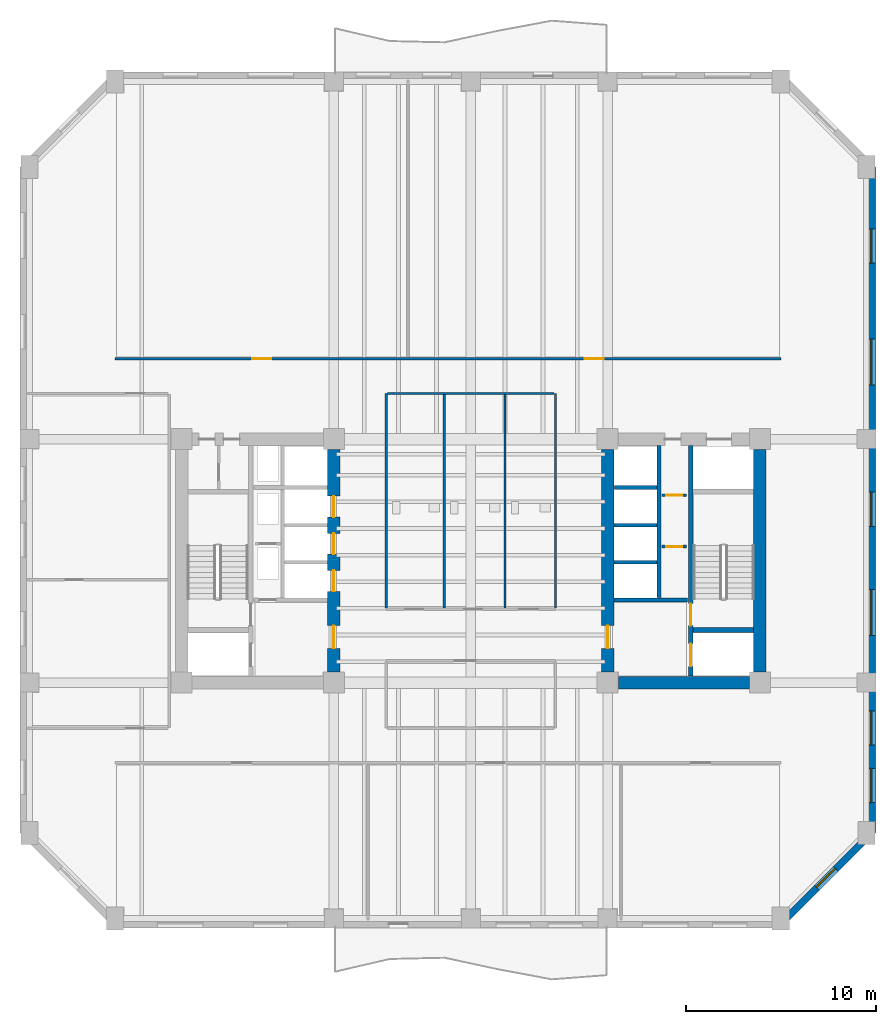
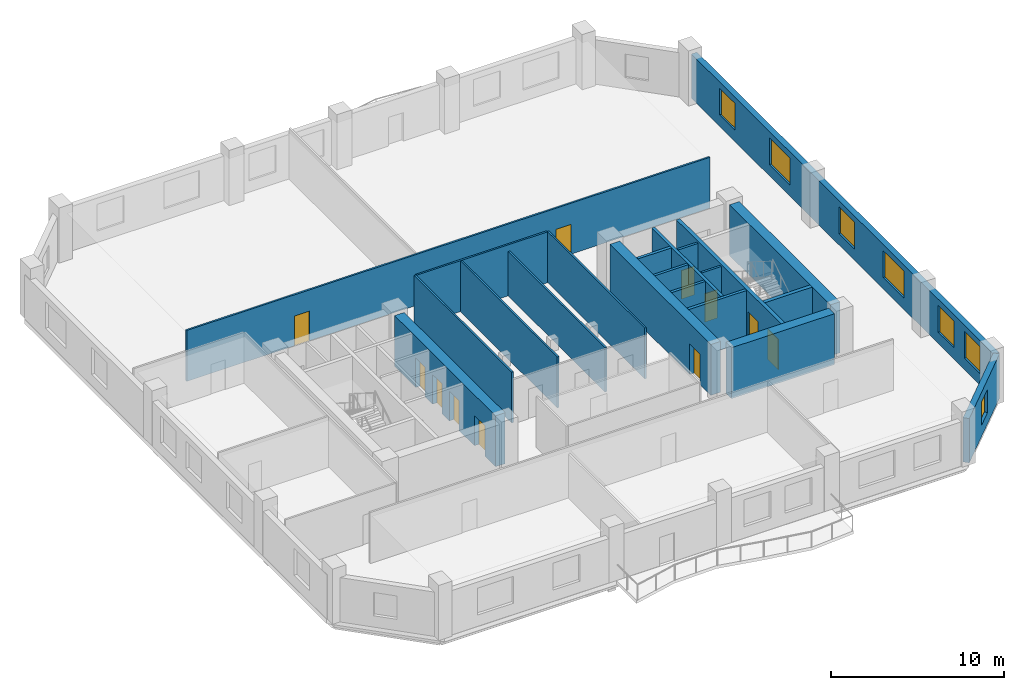
# One storey, part 4 of 10: 21 walls, 11 doors, 7 windows, 18 openings.
"""IFC4 building model written with IfcOpenShell, lengths in metres."""

from ifc_helpers import new_model, si_unit, direction, frame, frame_2d, origin, place, context, subcontext, project, spatial, rectangle, extrude, material, layer, layer_set, type_object, element, fill, save


model = new_model("IFC4")

# Units and contexts
model_context = context("Model", 3, precision=1e-05, world=origin(), true_north=direction((0.0, 1.0)))
body_context = subcontext(model_context, "Body", "Model", "MODEL_VIEW")
ifc_project = project(units=[si_unit("LENGTHUNIT", "METRE"), si_unit("AREAUNIT", "SQUARE_METRE"), si_unit("VOLUMEUNIT", "CUBIC_METRE"), si_unit("PLANEANGLEUNIT", "RADIAN"), si_unit("MASSUNIT", "GRAM", prefix="KILO")], contexts=[model_context])

# Site, building, storey
site_placement = place(None, origin())
site = spatial("IfcSite", under=ifc_project, at=site_placement, CompositionType="ELEMENT")
building_placement = place(site_placement, origin())
building = spatial("IfcBuilding", under=site, at=building_placement, Name="Kranthara Brick Stack", CompositionType="ELEMENT")
storey_placement = place(building_placement, frame((0.0, 0.0, 98.39990234375)))
storey = spatial("IfcBuildingStorey", under=building, at=storey_placement, Name="L24", CompositionType="ELEMENT", Elevation=98.39990234375)

# Wall, openings, windows
ifc_material_1 = material(Name="Kiln-fired clay brick masonry M15", Category="masonry")
ifc_layer_1 = layer(ifc_material_1, 0.3798828125)
ifc_layer_set_1 = layer_set([ifc_layer_1], Name="Kiln-fired clay brick masonry M15")
wall_type_1 = type_object("IfcWallType", Name="WL-BRK-PIER-380", PredefinedType="STANDARD", material=ifc_layer_set_1)
wall_1_placement = place(storey_placement, frame((49.090087890625, 47.89990234375, 0.0), z_axis=(0.0, 0.0, 1.0), x_axis=(0.0, -1.0, 0.0)))
wall_1 = element("IfcWall", 1, at=wall_1_placement, inside=storey, type_object=wall_type_1, Name="L24 Exterior Brick Facade Wall EAST 1", PredefinedType="STANDARD", context=body_context, shape_type="SweptSolid", body=[
    extrude(rectangle(XDim=35.0, YDim=0.3798828125, at=frame_2d((17.5, 0.0))), origin(), (0.0, 0.0, 1.0), 3.135009765625),
])
opening_1_placement = place(wall_1_placement, frame((3.251953125, 0.0, 0.800048828125)))
opening_1 = element("IfcOpeningElement", 2, at=opening_1_placement, cuts=wall_1, Name="Opening WN01", PredefinedType="OPENING", context=body_context, shape_type="SweptSolid", body=[
    extrude(rectangle(XDim=1.800048828125, YDim=1.89990234375, at=frame_2d((0.89990234375, 0.949951171875))), frame((0.0, 0.199951171875, 0.0), z_axis=(0.0, -1.0, 0.0), x_axis=(1.0, 0.0, 0.0)), (0.0, 0.0, 1.0), 0.39990234375),
])
opening_2_placement = place(wall_1_placement, frame((9.048095703125, 0.0, 0.800048828125)))
opening_2 = element("IfcOpeningElement", 3, at=opening_2_placement, cuts=wall_1, Name="Opening WN02", PredefinedType="OPENING", context=body_context, shape_type="SweptSolid", body=[
    extrude(rectangle(XDim=2.39990234375, YDim=1.89990234375, at=frame_2d((1.199951171875, 0.949951171875))), frame((0.0, 0.199951171875, 0.0), z_axis=(0.0, -1.0, 0.0), x_axis=(1.0, 0.0, 0.0)), (0.0, 0.0, 1.0), 0.39990234375),
])
opening_3_placement = place(wall_1_placement, frame((17.087890625, 0.0, 0.800048828125)))
opening_3 = element("IfcOpeningElement", 4, at=opening_3_placement, cuts=wall_1, Name="Opening WN01", PredefinedType="OPENING", context=body_context, shape_type="SweptSolid", body=[
    extrude(rectangle(XDim=1.800048828125, YDim=1.89990234375, at=frame_2d((0.89990234375, 0.949951171875))), frame((0.0, 0.199951171875, 0.0), z_axis=(0.0, -1.0, 0.0), x_axis=(1.0, 0.0, 0.0)), (0.0, 0.0, 1.0), 0.39990234375),
])
opening_4_placement = place(wall_1_placement, frame((22.2119140625, 0.0, 0.800048828125)))
opening_4 = element("IfcOpeningElement", 5, at=opening_4_placement, cuts=wall_1, Name="Opening WN02", PredefinedType="OPENING", context=body_context, shape_type="SweptSolid", body=[
    extrude(rectangle(XDim=2.39990234375, YDim=1.89990234375, at=frame_2d((1.199951171875, 0.949951171875))), frame((0.0, 0.199951171875, 0.0), z_axis=(0.0, -1.0, 0.0), x_axis=(1.0, 0.0, 0.0)), (0.0, 0.0, 1.0), 0.39990234375),
])
opening_5_placement = place(wall_1_placement, frame((28.587890625, 0.0, 0.800048828125)))
opening_5 = element("IfcOpeningElement", 6, at=opening_5_placement, cuts=wall_1, Name="Opening WN01", PredefinedType="OPENING", context=body_context, shape_type="SweptSolid", body=[
    extrude(rectangle(XDim=1.800048828125, YDim=1.89990234375, at=frame_2d((0.89990234375, 0.949951171875))), frame((0.0, 0.199951171875, 0.0), z_axis=(0.0, -1.0, 0.0), x_axis=(1.0, 0.0, 0.0)), (0.0, 0.0, 1.0), 0.39990234375),
])
opening_6_placement = place(wall_1_placement, frame((31.612060546875, 0.0, 0.800048828125)))
opening_6 = element("IfcOpeningElement", 7, at=opening_6_placement, cuts=wall_1, Name="Opening WN01", PredefinedType="OPENING", context=body_context, shape_type="SweptSolid", body=[
    extrude(rectangle(XDim=1.800048828125, YDim=1.89990234375, at=frame_2d((0.89990234375, 0.949951171875))), frame((0.0, 0.199951171875, 0.0), z_axis=(0.0, -1.0, 0.0), x_axis=(1.0, 0.0, 0.0)), (0.0, 0.0, 1.0), 0.39990234375),
])
ifc_material_2 = material(Name="Double-glazed low-E solar control glass", Category="glass")
window_type_1 = type_object("IfcWindowType", Name="WN-OFF-1800x2000", PartitioningType="SINGLE_PANEL", PredefinedType="WINDOW", material=ifc_material_2)
window_1_placement = place(opening_1_placement, origin())
window_1 = element("IfcWindow", 8, at=window_1_placement, inside=storey, type_object=window_type_1, Name="L24 East Deep-Set Brick Window 01", OverallHeight=1.89990234375, OverallWidth=1.800048828125, PartitioningType="SINGLE_PANEL", PredefinedType="WINDOW", context=body_context, shape_type="SweptSolid", body=[
    extrude(rectangle(XDim=1.800048828125, YDim=1.89990234375, at=frame_2d((0.89990234375, 0.949951171875))), frame((0.0, -0.010009765625, 0.0), z_axis=(0.0, -1.0, 0.0), x_axis=(1.0, 0.0, 0.0)), (0.0, 0.0, 1.0), 0.06005859375),
])
fill(opening_1, window_1)
window_2_placement = place(opening_3_placement, origin())
window_2 = element("IfcWindow", 9, at=window_2_placement, inside=storey, type_object=window_type_1, Name="L24 East Deep-Set Brick Window 03", OverallHeight=1.89990234375, OverallWidth=1.800048828125, PartitioningType="SINGLE_PANEL", PredefinedType="WINDOW", context=body_context, shape_type="SweptSolid", body=[
    extrude(rectangle(XDim=1.800048828125, YDim=1.89990234375, at=frame_2d((0.89990234375, 0.949951171875))), frame((0.0, -0.010009765625, 0.0), z_axis=(0.0, -1.0, 0.0), x_axis=(1.0, 0.0, 0.0)), (0.0, 0.0, 1.0), 0.06005859375),
])
fill(opening_3, window_2)
window_3_placement = place(opening_5_placement, origin())
window_3 = element("IfcWindow", 10, at=window_3_placement, inside=storey, type_object=window_type_1, Name="L24 East Deep-Set Brick Window 05", OverallHeight=1.89990234375, OverallWidth=1.800048828125, PartitioningType="SINGLE_PANEL", PredefinedType="WINDOW", context=body_context, shape_type="SweptSolid", body=[
    extrude(rectangle(XDim=1.800048828125, YDim=1.89990234375, at=frame_2d((0.89990234375, 0.949951171875))), frame((0.0, -0.010009765625, 0.0), z_axis=(0.0, -1.0, 0.0), x_axis=(1.0, 0.0, 0.0)), (0.0, 0.0, 1.0), 0.06005859375),
])
fill(opening_5, window_3)
window_4_placement = place(opening_6_placement, origin())
window_4 = element("IfcWindow", 11, at=window_4_placement, inside=storey, type_object=window_type_1, Name="L24 East Deep-Set Brick Window 06", OverallHeight=1.89990234375, OverallWidth=1.800048828125, PartitioningType="SINGLE_PANEL", PredefinedType="WINDOW", context=body_context, shape_type="SweptSolid", body=[
    extrude(rectangle(XDim=1.800048828125, YDim=1.89990234375, at=frame_2d((0.89990234375, 0.949951171875))), frame((0.0, -0.010009765625, 0.0), z_axis=(0.0, -1.0, 0.0), x_axis=(1.0, 0.0, 0.0)), (0.0, 0.0, 1.0), 0.06005859375),
])
fill(opening_6, window_4)
ifc_material_3 = material(Name="Double-glazed low-E solar control glass", Category="glass")
window_type_2 = type_object("IfcWindowType", Name="WN-OFF-2400x2000", PartitioningType="DOUBLE_PANEL_VERTICAL", PredefinedType="WINDOW", material=ifc_material_3)
window_5_placement = place(opening_2_placement, origin())
window_5 = element("IfcWindow", 12, at=window_5_placement, inside=storey, type_object=window_type_2, Name="L24 East Deep-Set Brick Window 02", OverallHeight=1.89990234375, OverallWidth=2.39990234375, PartitioningType="SINGLE_PANEL", PredefinedType="WINDOW", context=body_context, shape_type="SweptSolid", body=[
    extrude(rectangle(XDim=2.39990234375, YDim=1.89990234375, at=frame_2d((1.199951171875, 0.949951171875))), frame((0.0, -0.010009765625, 0.0), z_axis=(0.0, -1.0, 0.0), x_axis=(1.0, 0.0, 0.0)), (0.0, 0.0, 1.0), 0.06005859375),
])
fill(opening_2, window_5)
window_6_placement = place(opening_4_placement, origin())
window_6 = element("IfcWindow", 13, at=window_6_placement, inside=storey, type_object=window_type_2, Name="L24 East Deep-Set Brick Window 04", OverallHeight=1.89990234375, OverallWidth=2.39990234375, PartitioningType="SINGLE_PANEL", PredefinedType="WINDOW", context=body_context, shape_type="SweptSolid", body=[
    extrude(rectangle(XDim=2.39990234375, YDim=1.89990234375, at=frame_2d((1.199951171875, 0.949951171875))), frame((0.0, -0.010009765625, 0.0), z_axis=(0.0, -1.0, 0.0), x_axis=(1.0, 0.0, 0.0)), (0.0, 0.0, 1.0), 0.06005859375),
])
fill(opening_4, window_6)

# Wall, opening, window
wall_2_placement = place(storey_placement, frame((49.090087890625, 12.89990234375, 0.0), z_axis=(0.0, 0.0, 1.0), x_axis=(-0.707124801467, -0.707088760447, 0.0)))
wall_2 = element("IfcWall", 14, at=wall_2_placement, inside=storey, type_object=wall_type_1, Name="L24 Exterior Brick Facade Wall SE 1", PredefinedType="STANDARD", context=body_context, shape_type="SweptSolid", body=[
    extrude(rectangle(XDim=6.77392578125, YDim=0.3798828125, at=frame_2d((3.386962890625, 0.0))), origin(), (0.0, 0.0, 1.0), 3.135009765625),
])
opening_7_placement = place(wall_2_placement, frame((2.68701171875, 0.0, 0.800048828125)))
opening_7 = element("IfcOpeningElement", 15, at=opening_7_placement, cuts=wall_2, Name="Opening WN10", PredefinedType="OPENING", context=body_context, shape_type="SweptSolid", body=[
    extrude(rectangle(XDim=1.39990234375, YDim=1.64990234375, at=frame_2d((0.699951171875, 0.824951171875))), frame((0.0, 0.199951171875, 0.0), z_axis=(0.0, -1.0, 0.0), x_axis=(1.0, 0.0, 0.0)), (0.0, 0.0, 1.0), 0.39990234375),
])
ifc_material_4 = material(Name="Double-glazed low-E solar control glass", Category="glass")
window_type_3 = type_object("IfcWindowType", Name="WN-CHM-1400x1750", PartitioningType="SINGLE_PANEL", PredefinedType="WINDOW", material=ifc_material_4)
window_7_placement = place(opening_7_placement, origin())
window_7 = element("IfcWindow", 16, at=window_7_placement, inside=storey, type_object=window_type_3, Name="L24 SE Chamfer Corner Window", OverallHeight=1.64990234375, OverallWidth=1.39990234375, PartitioningType="SINGLE_PANEL", PredefinedType="WINDOW", context=body_context, shape_type="SweptSolid", body=[
    extrude(rectangle(XDim=1.39990234375, YDim=1.64990234375, at=frame_2d((0.699951171875, 0.824951171875))), frame((0.0, -0.010009765625, 0.0), z_axis=(0.0, -1.0, 0.0), x_axis=(1.0, 0.0, 0.0)), (0.0, 0.0, 1.0), 0.06005859375),
])
fill(opening_7, window_7)

# Wall, openings, doors
ifc_material_5 = material(Name="Concrete C50/60", Category="concrete")
ifc_layer_2 = layer(ifc_material_5, 0.25)
ifc_layer_set_2 = layer_set([ifc_layer_2], Name="Concrete C50/60")
wall_type_2 = type_object("IfcWallType", Name="WL-CORE-250", PredefinedType="SHEAR", material=ifc_layer_set_2)
wall_3_placement = place(storey_placement, frame((39.56494140625, 21.135009765625, 0.0), z_axis=(0.0, 0.0, 1.0), x_axis=(0.0, 1.0, 0.0)))
wall_3 = element("IfcWall", 17, at=wall_3_placement, inside=storey, type_object=wall_type_2, Name="L24 East Core Stair Bearing Spine Wall", PredefinedType="SHEAR", context=body_context, shape_type="SweptSolid", body=[
    extrude(rectangle(XDim=12.1298828125, YDim=0.25, at=frame_2d((6.06494140625, 0.0))), origin(), (0.0, 0.0, 1.0), 3.60009765625),
])
opening_8_placement = place(wall_3_placement, frame((0.514892578125, 0.0, 0.0)))
opening_8 = element("IfcOpeningElement", 18, at=opening_8_placement, cuts=wall_3, Name="Opening LD01", PredefinedType="OPENING", context=body_context, shape_type="SweptSolid", body=[
    extrude(rectangle(XDim=1.199951171875, YDim=2.14990234375, at=frame_2d((0.60009765625, 1.074951171875))), frame((0.0, 0.135009765625, 0.0), z_axis=(0.0, -1.0, 0.0), x_axis=(1.0, 0.0, 0.0)), (0.0, 0.0, 1.0), 0.27001953125),
])
opening_9_placement = place(wall_3_placement, frame((2.6650390625, 0.0, 0.0)))
opening_9 = element("IfcOpeningElement", 19, at=opening_9_placement, cuts=wall_3, Name="Opening D05", PredefinedType="OPENING", context=body_context, shape_type="SweptSolid", body=[
    extrude(rectangle(XDim=1.14990234375, YDim=2.14990234375, at=frame_2d((0.574951171875, 1.074951171875))), frame((0.0, 0.135009765625, 0.0), z_axis=(0.0, -1.0, 0.0), x_axis=(1.0, 0.0, 0.0)), (0.0, 0.0, 1.0), 0.27001953125),
])
ifc_material_6 = material(Name="Stainless steel sliding landing door", Category="steel")
door_type_1 = type_object("IfcDoorType", Name="DR-LD-FF1200", OperationType="DOUBLE_DOOR_SLIDING", PredefinedType="DOOR", material=ifc_material_6)
door_1_placement = place(opening_8_placement, origin())
door_1 = element("IfcDoor", 20, at=door_1_placement, inside=storey, type_object=door_type_1, Name="L24 Firefighting Lift FF-02 Landing Door", OperationType="DOUBLE_DOOR_SLIDING", OverallHeight=2.14990234375, OverallWidth=1.199951171875, PredefinedType="DOOR", context=body_context, shape_type="SweptSolid", body=[
    extrude(rectangle(XDim=1.199951171875, YDim=2.14990234375, at=frame_2d((0.60009765625, 1.074951171875))), frame((0.0, 0.02490234375, 0.0), z_axis=(0.0, -1.0, 0.0), x_axis=(1.0, 0.0, 0.0)), (0.0, 0.0, 1.0), 0.050048828125),
])
fill(opening_8, door_1)
ifc_material_7 = material(Name="Solid-core hardwood timber leaf in steel frame", Category="steel")
door_type_2 = type_object("IfcDoorType", Name="DR-ST-1150", OperationType="NOTDEFINED", PredefinedType="DOOR", material=ifc_material_7)
door_2_placement = place(opening_9_placement, origin())
door_2 = element("IfcDoor", 21, at=door_2_placement, inside=storey, type_object=door_type_2, Name="L24 Exit Stair ST02 Door", OperationType="SINGLE_SWING_LEFT", OverallHeight=2.14990234375, OverallWidth=1.14990234375, PredefinedType="DOOR", context=body_context, shape_type="SweptSolid", body=[
    extrude(rectangle(XDim=1.14990234375, YDim=2.14990234375, at=frame_2d((0.574951171875, 1.074951171875))), frame((0.0, 0.02490234375, 0.0), z_axis=(0.0, -1.0, 0.0), x_axis=(1.0, 0.0, 0.0)), (0.0, 0.0, 1.0), 0.050048828125),
])
fill(opening_9, door_2)

# Wall
wall_4_placement = place(storey_placement, frame((39.68994140625, 23.570068359375, 0.0), z_axis=(0.0, 0.0, 1.0), x_axis=(1.0, 0.0, 0.0)))
element("IfcWall", 22, at=wall_4_placement, inside=storey, type_object=wall_type_2, Name="L24 East Stairwell Bearing Wall EFF", PredefinedType="SHEAR", context=body_context, shape_type="SweptSolid", body=[
    extrude(rectangle(XDim=3.175048828125, YDim=0.25, at=frame_2d((1.58740234375, 0.0))), origin(), (0.0, 0.0, 1.0), 3.60009765625),
])

# Wall, openings, doors
ifc_material_8 = material(Name="Concrete C60/75", Category="concrete")
ifc_layer_3 = layer(ifc_material_8, 0.64990234375)
ifc_layer_set_3 = layer_set([ifc_layer_3], Name="Concrete C60/75")
wall_type_3 = type_object("IfcWallType", Name="WL-CORE-650", PredefinedType="SHEAR", material=ifc_layer_set_3)
wall_5_placement = place(storey_placement, frame((20.800048828125, 21.35498046875, 0.0), z_axis=(0.0, 0.0, 1.0), x_axis=(0.0, 1.0, 0.0)))
wall_5 = element("IfcWall", 23, at=wall_5_placement, inside=storey, type_object=wall_type_3, Name="L24 West Core Shear Wall East", PredefinedType="SHEAR", context=body_context, shape_type="SweptSolid", body=[
    extrude(rectangle(XDim=11.68994140625, YDim=0.64990234375, at=frame_2d((5.844970703125, 0.0))), origin(), (0.0, 0.0, 1.0), 3.60009765625),
])
opening_10_placement = place(wall_5_placement, frame((1.2451171875, 0.0, 0.0)))
opening_10 = element("IfcOpeningElement", 24, at=opening_10_placement, cuts=wall_5, Name="Opening D06", PredefinedType="OPENING", context=body_context, shape_type="SweptSolid", body=[
    extrude(rectangle(XDim=1.199951171875, YDim=2.14990234375, at=frame_2d((0.60009765625, 1.074951171875))), frame((0.0, 0.3349609375, 0.0), z_axis=(0.0, -1.0, 0.0), x_axis=(1.0, 0.0, 0.0)), (0.0, 0.0, 1.0), 0.669921875),
])
opening_11_placement = place(wall_5_placement, frame((4.2451171875, 0.0, 0.0)))
opening_11 = element("IfcOpeningElement", 25, at=opening_11_placement, cuts=wall_5, Name="Opening LD02", PredefinedType="OPENING", context=body_context, shape_type="SweptSolid", body=[
    extrude(rectangle(XDim=1.10009765625, YDim=2.10009765625, at=frame_2d((0.550048828125, 1.050048828125))), frame((0.0, 0.3349609375, 0.0), z_axis=(0.0, -1.0, 0.0), x_axis=(1.0, 0.0, 0.0)), (0.0, 0.0, 1.0), 0.669921875),
])
opening_12_placement = place(wall_5_placement, frame((6.195068359375, 0.0, 0.0)))
opening_12 = element("IfcOpeningElement", 26, at=opening_12_placement, cuts=wall_5, Name="Opening LD02", PredefinedType="OPENING", context=body_context, shape_type="SweptSolid", body=[
    extrude(rectangle(XDim=1.10009765625, YDim=2.10009765625, at=frame_2d((0.550048828125, 1.050048828125))), frame((0.0, 0.3349609375, 0.0), z_axis=(0.0, -1.0, 0.0), x_axis=(1.0, 0.0, 0.0)), (0.0, 0.0, 1.0), 0.669921875),
])
opening_13_placement = place(wall_5_placement, frame((8.14501953125, 0.0, 0.0)))
opening_13 = element("IfcOpeningElement", 27, at=opening_13_placement, cuts=wall_5, Name="Opening LD02", PredefinedType="OPENING", context=body_context, shape_type="SweptSolid", body=[
    extrude(rectangle(XDim=1.10009765625, YDim=2.10009765625, at=frame_2d((0.550048828125, 1.050048828125))), frame((0.0, 0.3349609375, 0.0), z_axis=(0.0, -1.0, 0.0), x_axis=(1.0, 0.0, 0.0)), (0.0, 0.0, 1.0), 0.669921875),
])
ifc_material_9 = material(Name="Solid-core hardwood timber leaf in steel frame", Category="steel")
door_type_3 = type_object("IfcDoorType", Name="DR-FFL-1200", OperationType="NOTDEFINED", PredefinedType="DOOR", material=ifc_material_9)
door_3_placement = place(opening_10_placement, origin())
door_3 = element("IfcDoor", 28, at=door_3_placement, inside=storey, type_object=door_type_3, Name="L24 West Firefighting Lobby Door", OperationType="SINGLE_SWING_LEFT", OverallHeight=2.14990234375, OverallWidth=1.199951171875, PredefinedType="DOOR", context=body_context, shape_type="SweptSolid", body=[
    extrude(rectangle(XDim=1.199951171875, YDim=2.14990234375, at=frame_2d((0.60009765625, 1.074951171875))), frame((0.0, 0.02490234375, 0.0), z_axis=(0.0, -1.0, 0.0), x_axis=(1.0, 0.0, 0.0)), (0.0, 0.0, 1.0), 0.050048828125),
])
fill(opening_10, door_3)
ifc_material_10 = material(Name="Stainless steel sliding landing door", Category="steel")
door_type_4 = type_object("IfcDoorType", Name="DR-LD-PL1100", OperationType="DOUBLE_DOOR_SLIDING", PredefinedType="DOOR", material=ifc_material_10)
door_4_placement = place(opening_11_placement, origin())
door_4 = element("IfcDoor", 29, at=door_4_placement, inside=storey, type_object=door_type_4, Name="L24 PL-01 Lift Landing Door", OperationType="DOUBLE_DOOR_SLIDING", OverallHeight=2.10009765625, OverallWidth=1.10009765625, PredefinedType="DOOR", context=body_context, shape_type="SweptSolid", body=[
    extrude(rectangle(XDim=1.10009765625, YDim=2.10009765625, at=frame_2d((0.550048828125, 1.050048828125))), frame((0.0, 0.02490234375, 0.0), z_axis=(0.0, -1.0, 0.0), x_axis=(1.0, 0.0, 0.0)), (0.0, 0.0, 1.0), 0.050048828125),
])
fill(opening_11, door_4)
door_5_placement = place(opening_12_placement, origin())
door_5 = element("IfcDoor", 30, at=door_5_placement, inside=storey, type_object=door_type_4, Name="L24 PL-02 Lift Landing Door", OperationType="DOUBLE_DOOR_SLIDING", OverallHeight=2.10009765625, OverallWidth=1.10009765625, PredefinedType="DOOR", context=body_context, shape_type="SweptSolid", body=[
    extrude(rectangle(XDim=1.10009765625, YDim=2.10009765625, at=frame_2d((0.550048828125, 1.050048828125))), frame((0.0, 0.02490234375, 0.0), z_axis=(0.0, -1.0, 0.0), x_axis=(1.0, 0.0, 0.0)), (0.0, 0.0, 1.0), 0.050048828125),
])
fill(opening_12, door_5)
door_6_placement = place(opening_13_placement, origin())
door_6 = element("IfcDoor", 31, at=door_6_placement, inside=storey, type_object=door_type_4, Name="L24 PL-03 Lift Landing Door", OperationType="DOUBLE_DOOR_SLIDING", OverallHeight=2.10009765625, OverallWidth=1.10009765625, PredefinedType="DOOR", context=body_context, shape_type="SweptSolid", body=[
    extrude(rectangle(XDim=1.10009765625, YDim=2.10009765625, at=frame_2d((0.550048828125, 1.050048828125))), frame((0.0, 0.02490234375, 0.0), z_axis=(0.0, -1.0, 0.0), x_axis=(1.0, 0.0, 0.0)), (0.0, 0.0, 1.0), 0.050048828125),
])
fill(opening_13, door_6)

# Walls
wall_6_placement = place(storey_placement, frame((43.199951171875, 21.35498046875, 0.0), z_axis=(0.0, 0.0, 1.0), x_axis=(0.0, 1.0, 0.0)))
element("IfcWall", 32, at=wall_6_placement, inside=storey, type_object=wall_type_3, Name="L24 East Core Shear Wall East", PredefinedType="SHEAR", context=body_context, shape_type="SweptSolid", body=[
    extrude(rectangle(XDim=11.68994140625, YDim=0.64990234375, at=frame_2d((5.844970703125, 0.0))), origin(), (0.0, 0.0, 1.0), 3.60009765625),
])
wall_7_placement = place(storey_placement, frame((35.7548828125, 20.800048828125, 0.0), z_axis=(0.0, 0.0, 1.0), x_axis=(1.0, 0.0, 0.0)))
element("IfcWall", 33, at=wall_7_placement, inside=storey, type_object=wall_type_3, Name="L24 East Core Shear Wall South", PredefinedType="SHEAR", context=body_context, shape_type="SweptSolid", body=[
    extrude(rectangle(XDim=6.89013671875, YDim=0.64990234375, at=frame_2d((3.445068359375, 0.0))), origin(), (0.0, 0.0, 1.0), 3.60009765625),
])

# Wall, opening, door
wall_8_placement = place(storey_placement, frame((35.199951171875, 21.35498046875, 0.0), z_axis=(0.0, 0.0, 1.0), x_axis=(0.0, 1.0, 0.0)))
wall_8 = element("IfcWall", 34, at=wall_8_placement, inside=storey, type_object=wall_type_3, Name="L24 East Core Shear Wall West", PredefinedType="SHEAR", context=body_context, shape_type="SweptSolid", body=[
    extrude(rectangle(XDim=11.68994140625, YDim=0.64990234375, at=frame_2d((5.844970703125, 0.0))), origin(), (0.0, 0.0, 1.0), 3.60009765625),
])
opening_14_placement = place(wall_8_placement, frame((1.2451171875, 0.0, 0.0)))
opening_14 = element("IfcOpeningElement", 35, at=opening_14_placement, cuts=wall_8, Name="Opening D06", PredefinedType="OPENING", context=body_context, shape_type="SweptSolid", body=[
    extrude(rectangle(XDim=1.199951171875, YDim=2.14990234375, at=frame_2d((0.60009765625, 1.074951171875))), frame((0.0, 0.3349609375, 0.0), z_axis=(0.0, -1.0, 0.0), x_axis=(1.0, 0.0, 0.0)), (0.0, 0.0, 1.0), 0.669921875),
])
door_7_placement = place(opening_14_placement, origin())
door_7 = element("IfcDoor", 36, at=door_7_placement, inside=storey, type_object=door_type_3, Name="L24 East Firefighting Lobby Door", OperationType="SINGLE_SWING_RIGHT", OverallHeight=2.14990234375, OverallWidth=1.199951171875, PredefinedType="DOOR", context=body_context, shape_type="SweptSolid", body=[
    extrude(rectangle(XDim=1.199951171875, YDim=2.14990234375, at=frame_2d((0.60009765625, 1.074951171875))), frame((0.0, 0.02490234375, 0.0), z_axis=(0.0, -1.0, 0.0), x_axis=(1.0, 0.0, 0.0)), (0.0, 0.0, 1.0), 0.050048828125),
])
fill(opening_14, door_7)

# Walls
ifc_material_11 = material(Name="Acoustic gypsum plasterboard partition", Category="other")
ifc_layer_4 = layer(ifc_material_11, 0.1201171875)
ifc_layer_set_4 = layer_set([ifc_layer_4], Name="Acoustic gypsum plasterboard partition")
wall_type_4 = type_object("IfcWallType", Name="WL-PART-120", PredefinedType="PARTITIONING", material=ifc_layer_set_4)
for number, where, z_axis, x_axis, name in (
    (37, (23.550048828125, 24.715087890625, 0.0), (0.0, 0.0, 1.0), (0.0, 1.0, 0.0), "L24 Interior Partition 006"),
    (38, (32.449951171875, 24.715087890625, 0.0), (0.0, 0.0, 1.0), (0.0, 1.0, 0.0), "L24 Interior Partition 007"),
    (39, (26.60009765625, 24.715087890625, 0.0), (0.0, 0.0, 1.0), (0.0, 1.0, 0.0), "L24 Interior Partition 008"),
):
    element("IfcWall", number, at=place(storey_placement, frame(where, z_axis=z_axis, x_axis=x_axis)), inside=storey, type_object=wall_type_4, Name=name, PredefinedType="PARTITIONING", context=body_context, shape_type="SweptSolid", body=[
        extrude(rectangle(XDim=11.284912109375, YDim=0.1201171875, at=frame_2d((5.642578125, 0.0))), origin(), (0.0, 0.0, 1.0), 3.60009765625),
    ])
wall_9_placement = place(storey_placement, frame((29.800048828125, 24.715087890625, 0.0), z_axis=(0.0, 0.0, 1.0), x_axis=(0.0, 1.0, 0.0)))
element("IfcWall", 40, at=wall_9_placement, inside=storey, type_object=wall_type_4, Name="L24 Interior Partition 009", PredefinedType="PARTITIONING", context=body_context, shape_type="SweptSolid", body=[
    extrude(rectangle(XDim=11.284912109375, YDim=0.1201171875, at=frame_2d((5.642578125, 0.0))), origin(), (0.0, 0.0, 1.0), 3.135009765625),
])
wall_10_placement = place(storey_placement, frame((23.614990234375, 36.0, 0.0), z_axis=(0.0, 0.0, 1.0), x_axis=(1.0, 0.0, 0.0)))
element("IfcWall", 41, at=wall_10_placement, inside=storey, type_object=wall_type_4, Name="L24 Interior Partition 010", PredefinedType="PARTITIONING", context=body_context, shape_type="SweptSolid", body=[
    extrude(rectangle(XDim=8.77001953125, YDim=0.1201171875, at=frame_2d((4.385009765625, 0.0))), origin(), (0.0, 0.0, 1.0), 3.60009765625),
])

# Wall, openings, doors
wall_11_placement = place(storey_placement, frame((9.300048828125, 37.820068359375, 0.0), z_axis=(0.0, 0.0, 1.0), x_axis=(1.0, 0.0, 0.0)))
wall_11 = element("IfcWall", 42, at=wall_11_placement, inside=storey, type_object=wall_type_4, Name="L24 Interior Partition 018", PredefinedType="PARTITIONING", context=body_context, shape_type="SweptSolid", body=[
    extrude(rectangle(XDim=35.0, YDim=0.1201171875, at=frame_2d((17.5, 0.0))), origin(), (0.0, 0.0, 1.0), 3.60009765625),
])
opening_15_placement = place(wall_11_placement, frame((7.199951171875, 0.0, 0.0)))
opening_15 = element("IfcOpeningElement", 43, at=opening_15_placement, cuts=wall_11, Name="Opening D13", PredefinedType="OPENING", context=body_context, shape_type="SweptSolid", body=[
    extrude(rectangle(XDim=1.0, YDim=2.10009765625, at=frame_2d((0.5, 1.050048828125))), frame((0.0, 0.070068359375, 0.0), z_axis=(0.0, -1.0, 0.0), x_axis=(1.0, 0.0, 0.0)), (0.0, 0.0, 1.0), 0.14013671875),
])
opening_16_placement = place(wall_11_placement, frame((24.699951171875, 0.0, 0.0)))
opening_16 = element("IfcOpeningElement", 44, at=opening_16_placement, cuts=wall_11, Name="Opening D13", PredefinedType="OPENING", context=body_context, shape_type="SweptSolid", body=[
    extrude(rectangle(XDim=1.0, YDim=2.10009765625, at=frame_2d((0.5, 1.050048828125))), frame((0.0, 0.070068359375, 0.0), z_axis=(0.0, -1.0, 0.0), x_axis=(1.0, 0.0, 0.0)), (0.0, 0.0, 1.0), 0.14013671875),
])
ifc_material_12 = material(Name="Solid-core hardwood timber leaf in steel frame", Category="steel")
door_type_5 = type_object("IfcDoorType", Name="DR-INT-1000", OperationType="NOTDEFINED", PredefinedType="DOOR", material=ifc_material_12)
door_8_placement = place(opening_15_placement, origin())
door_8 = element("IfcDoor", 45, at=door_8_placement, inside=storey, type_object=door_type_5, Name="L24 Open Plan Workspace 12", OperationType="SINGLE_SWING_RIGHT", OverallHeight=2.10009765625, OverallWidth=1.0, PredefinedType="DOOR", context=body_context, shape_type="SweptSolid", body=[
    extrude(rectangle(XDim=1.0, YDim=2.10009765625, at=frame_2d((0.5, 1.050048828125))), frame((0.0, 0.02490234375, 0.0), z_axis=(0.0, -1.0, 0.0), x_axis=(1.0, 0.0, 0.0)), (0.0, 0.0, 1.0), 0.050048828125),
])
fill(opening_15, door_8)
door_9_placement = place(opening_16_placement, origin())
door_9 = element("IfcDoor", 46, at=door_9_placement, inside=storey, type_object=door_type_5, Name="L24 Staff Pantry 13", OperationType="SINGLE_SWING_LEFT", OverallHeight=2.10009765625, OverallWidth=1.0, PredefinedType="DOOR", context=body_context, shape_type="SweptSolid", body=[
    extrude(rectangle(XDim=1.0, YDim=2.10009765625, at=frame_2d((0.5, 1.050048828125))), frame((0.0, 0.02490234375, 0.0), z_axis=(0.0, -1.0, 0.0), x_axis=(1.0, 0.0, 0.0)), (0.0, 0.0, 1.0), 0.050048828125),
])
fill(opening_16, door_9)

# Wall, opening, door
ifc_material_13 = material(Name="Fire-rated gypsum board partition", Category="other")
ifc_layer_5 = layer(ifc_material_13, 0.14990234375)
ifc_layer_set_5 = layer_set([ifc_layer_5], Name="Fire-rated gypsum board partition")
wall_type_5 = type_object("IfcWallType", Name="WL-PART-150", PredefinedType="PARTITIONING", material=ifc_layer_set_5)
wall_12_placement = place(storey_placement, frame((38.050048828125, 27.949951171875, 0.0), z_axis=(0.0, 0.0, 1.0), x_axis=(1.0, 0.0, 0.0)))
wall_12 = element("IfcWall", 47, at=wall_12_placement, inside=storey, type_object=wall_type_5, Name="L24 Interior Partition 002", PredefinedType="PARTITIONING", context=body_context, shape_type="SweptSolid", body=[
    extrude(rectangle(XDim=1.300048828125, YDim=0.14990234375, at=frame_2d((0.64990234375, 0.0))), origin(), (0.0, 0.0, 1.0), 3.60009765625),
])
opening_17_placement = place(wall_12_placement, frame((0.219970703125, 0.0, 0.0)))
opening_17 = element("IfcOpeningElement", 48, at=opening_17_placement, cuts=wall_12, Name="Opening D10", PredefinedType="OPENING", context=body_context, shape_type="SweptSolid", body=[
    extrude(rectangle(XDim=0.85009765625, YDim=2.02001953125, at=frame_2d((0.425048828125, 1.010009765625))), frame((0.0, 0.0849609375, 0.0), z_axis=(0.0, -1.0, 0.0), x_axis=(1.0, 0.0, 0.0)), (0.0, 0.0, 1.0), 0.169921875),
])
ifc_material_14 = material(Name="Solid-core hardwood timber leaf in steel frame", Category="steel")
door_type_6 = type_object("IfcDoorType", Name="DR-RSR-850", OperationType="NOTDEFINED", PredefinedType="DOOR", material=ifc_material_14)
door_10_placement = place(opening_17_placement, origin())
door_10 = element("IfcDoor", 49, at=door_10_placement, inside=storey, type_object=door_type_6, Name="L24 Riser Door 1 02", OperationType="SINGLE_SWING_RIGHT", OverallHeight=2.02001953125, OverallWidth=0.85009765625, PredefinedType="DOOR", context=body_context, shape_type="SweptSolid", body=[
    extrude(rectangle(XDim=0.85009765625, YDim=2.02001953125, at=frame_2d((0.425048828125, 1.010009765625))), frame((0.0, 0.02490234375, 0.0), z_axis=(0.0, -1.0, 0.0), x_axis=(1.0, 0.0, 0.0)), (0.0, 0.0, 1.0), 0.050048828125),
])
fill(opening_17, door_10)

wall_13_placement = place(storey_placement, frame((38.050048828125, 30.64990234375, 0.0), z_axis=(0.0, 0.0, 1.0), x_axis=(1.0, 0.0, 0.0)))
wall_13 = element("IfcWall", 50, at=wall_13_placement, inside=storey, type_object=wall_type_5, Name="L24 Interior Partition 003", PredefinedType="PARTITIONING", context=body_context, shape_type="SweptSolid", body=[
    extrude(rectangle(XDim=1.300048828125, YDim=0.14990234375, at=frame_2d((0.64990234375, 0.0))), origin(), (0.0, 0.0, 1.0), 3.60009765625),
])
opening_18_placement = place(wall_13_placement, frame((0.219970703125, 0.0, 0.0)))
opening_18 = element("IfcOpeningElement", 51, at=opening_18_placement, cuts=wall_13, Name="Opening D10", PredefinedType="OPENING", context=body_context, shape_type="SweptSolid", body=[
    extrude(rectangle(XDim=0.85009765625, YDim=2.02001953125, at=frame_2d((0.425048828125, 1.010009765625))), frame((0.0, 0.0849609375, 0.0), z_axis=(0.0, -1.0, 0.0), x_axis=(1.0, 0.0, 0.0)), (0.0, 0.0, 1.0), 0.169921875),
])
door_11_placement = place(opening_18_placement, origin())
door_11 = element("IfcDoor", 52, at=door_11_placement, inside=storey, type_object=door_type_6, Name="L24 Riser Door 2 03", OperationType="SINGLE_SWING_LEFT", OverallHeight=2.02001953125, OverallWidth=0.85009765625, PredefinedType="DOOR", context=body_context, shape_type="SweptSolid", body=[
    extrude(rectangle(XDim=0.85009765625, YDim=2.02001953125, at=frame_2d((0.425048828125, 1.010009765625))), frame((0.0, 0.02490234375, 0.0), z_axis=(0.0, -1.0, 0.0), x_axis=(1.0, 0.0, 0.0)), (0.0, 0.0, 1.0), 0.050048828125),
])
fill(opening_18, door_11)

# Walls
ifc_material_15 = material(Name="Gypsum plasterboard on acoustic twin stud", Category="other")
ifc_layer_6 = layer(ifc_material_15, 0.179931640625)
ifc_layer_set_6 = layer_set([ifc_layer_6], Name="Gypsum plasterboard on acoustic twin stud")
wall_type_6 = type_object("IfcWallType", Name="WL-PART-180", PredefinedType="PARTITIONING", material=ifc_layer_set_6)
for number, where, z_axis, x_axis, name in (
    (53, (35.534912109375, 27.1201171875, 0.0), (0.0, 0.0, 1.0), (1.0, 0.0, 0.0), "L24 East Hoistway Wall EH1"),
    (54, (35.534912109375, 29.080078125, 0.0), (0.0, 0.0, 1.0), (1.0, 0.0, 0.0), "L24 East Hoistway Wall EH2"),
):
    element("IfcWall", number, at=place(storey_placement, frame(where, z_axis=z_axis, x_axis=x_axis)), inside=storey, type_object=wall_type_6, Name=name, PredefinedType="PARTITIONING", context=body_context, shape_type="SweptSolid", body=[
        extrude(rectangle(XDim=2.2451171875, YDim=0.179931640625, at=frame_2d((1.12255859375, 0.0))), origin(), (0.0, 0.0, 1.0), 3.60009765625),
    ])
ifc_material_16 = material(Name="Concrete C40/50", Category="concrete")
ifc_layer_7 = layer(ifc_material_16, 0.199951171875)
ifc_layer_set_7 = layer_set([ifc_layer_7], Name="Concrete C40/50")
wall_type_7 = type_object("IfcWallType", Name="WL-PART-200", PredefinedType="SOLIDWALL", material=ifc_layer_set_7)
wall_14_placement = place(storey_placement, frame((35.534912109375, 25.14990234375, 0.0), z_axis=(0.0, 0.0, 1.0), x_axis=(1.0, 0.0, 0.0)))
element("IfcWall", 55, at=wall_14_placement, inside=storey, type_object=wall_type_7, Name="L24 East Core Cross Wall EFL", PredefinedType="SOLIDWALL", context=body_context, shape_type="SweptSolid", body=[
    extrude(rectangle(XDim=3.864990234375, YDim=0.199951171875, at=frame_2d((1.9326171875, 0.0))), origin(), (0.0, 0.0, 1.0), 3.60009765625),
])
wall_15_placement = place(storey_placement, frame((35.550048828125, 31.050048828125, 0.0), z_axis=(0.0, 0.0, 1.0), x_axis=(1.0, 0.0, 0.0)))
element("IfcWall", 56, at=wall_15_placement, inside=storey, type_object=wall_type_7, Name="L24 East Core Cross Wall EE4", PredefinedType="SOLIDWALL", context=body_context, shape_type="SweptSolid", body=[
    extrude(rectangle(XDim=2.25, YDim=0.199951171875, at=frame_2d((1.125, 0.0))), origin(), (0.0, 0.0, 1.0), 3.60009765625),
])
wall_16_placement = place(storey_placement, frame((37.89990234375, 25.27001953125, 0.0), z_axis=(0.0, 0.0, 1.0), x_axis=(0.0, 1.0, 0.0)))
element("IfcWall", 57, at=wall_16_placement, inside=storey, type_object=wall_type_7, Name="L24 East Core Cross Wall ESV", PredefinedType="SOLIDWALL", context=body_context, shape_type="SweptSolid", body=[
    extrude(rectangle(XDim=7.994873046875, YDim=0.199951171875, at=frame_2d((3.99755859375, 0.0))), origin(), (0.0, 0.0, 1.0), 3.60009765625),
])

save(model, "model.ifc")
